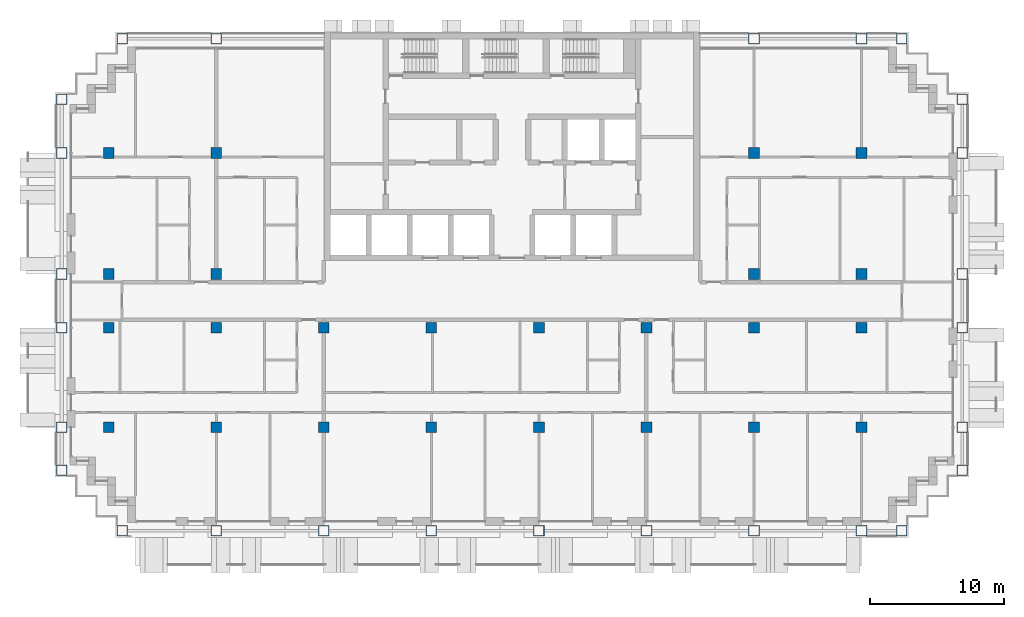
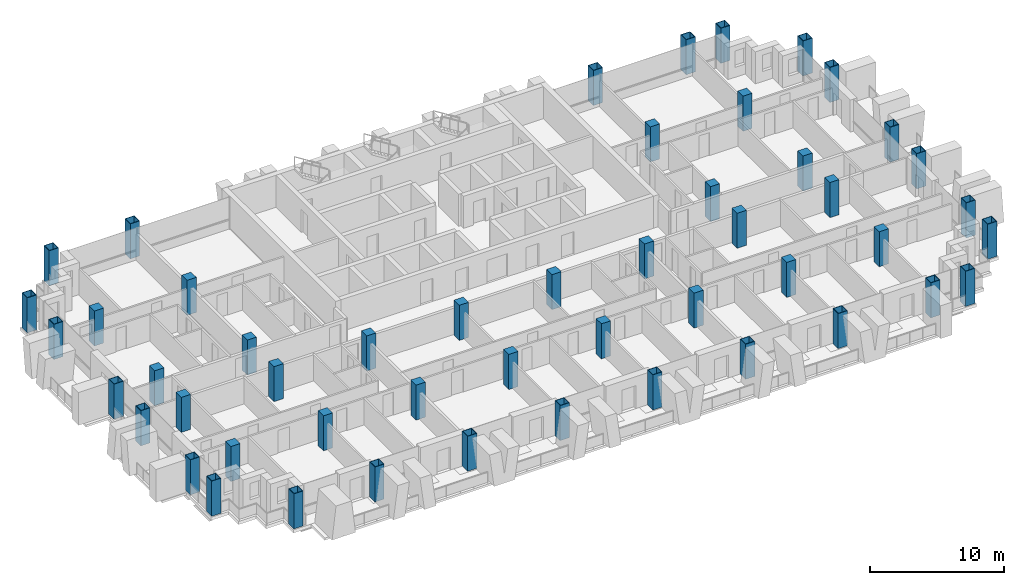
# One storey, part 1 of 17: 50 columns.
"""IFC4 building model written with IfcOpenShell, lengths in metres."""

from ifc_helpers import new_model, si_unit, direction, frame, origin, origin_2d, place, context, subcontext, project, spatial, rectangle, hollow_rectangle, extrude, material, material_profile, profile_set, type_object, element, save


model = new_model("IFC4")

# Units and contexts
model_context = context("Model", 3, precision=1e-05, world=origin(), true_north=direction((0.0, 1.0)))
body_context = subcontext(model_context, "Body", "Model", "MODEL_VIEW")
ifc_project = project(units=[si_unit("LENGTHUNIT", "METRE"), si_unit("AREAUNIT", "SQUARE_METRE"), si_unit("VOLUMEUNIT", "CUBIC_METRE"), si_unit("PLANEANGLEUNIT", "RADIAN"), si_unit("MASSUNIT", "GRAM", prefix="KILO")], contexts=[model_context])

# Site, building, storey
site_placement = place(None, origin())
site = spatial("IfcSite", under=ifc_project, at=site_placement, CompositionType="ELEMENT")
building_placement = place(site_placement, origin())
building = spatial("IfcBuilding", under=site, at=building_placement, Name="Vidyagriha Tower", CompositionType="ELEMENT")
storey_placement = place(building_placement, frame((0.0, 0.0, 139.0)))
storey = spatial("IfcBuildingStorey", under=building, at=storey_placement, Name="L36", CompositionType="ELEMENT", Elevation=139.0)

# Columns
ifc_material_1 = material(Name="Steel ASTM A572 Grade 50", Category="steel")
ifc_material_profile_1 = material_profile(ifc_material_1, hollow_rectangle(XDim=0.800048828125, YDim=0.800048828125, WallThickness=0.0400390625, at=origin_2d()), Name="BOX 800x800x40")
ifc_profile_set_1 = profile_set([ifc_material_profile_1], Name="Steel ASTM A572 Grade 50")
column_type_1 = type_object("IfcColumnType", Name="Exoskeleton column BOX 800x800x40", PredefinedType="COLUMN", material=ifc_profile_set_1)
for number, where, name in (
    (1, (-29.0, -17.10009765625, 0.0), "st-col-L36-B3-001"),
    (2, (-22.0, -17.10009765625, 0.0), "st-col-L36-B3-002"),
    (3, (-14.0, -17.10009765625, 0.0), "st-col-L36-B3-003"),
    (4, (-6.0, -17.10009765625, 0.0), "st-col-L36-B3-004"),
    (5, (2.0, -17.10009765625, 0.0), "st-col-L36-B3-005"),
    (6, (10.0, -17.10009765625, 0.0), "st-col-L36-B3-006"),
    (7, (18.0, -17.10009765625, 0.0), "st-col-L36-B3-007"),
    (8, (26.0, -17.10009765625, 0.0), "st-col-L36-B3-008"),
    (9, (29.0, -17.10009765625, 0.0), "st-col-L36-B3-009"),
    (10, (-33.5, -12.60009765625, 0.0), "st-col-L36-B3-010"),
    (11, (33.5, -12.60009765625, 0.0), "st-col-L36-B3-011"),
    (12, (-33.5, -9.39990234375, 0.0), "st-col-L36-B3-012"),
    (13, (33.5, -9.39990234375, 0.0), "st-col-L36-B3-021"),
    (14, (-33.5, -2.0, 0.0), "st-col-L36-B3-022"),
    (15, (33.5, -2.0, 0.0), "st-col-L36-B3-031"),
    (16, (-33.5, 2.0, 0.0), "st-col-L36-B3-032"),
    (17, (33.5, 2.0, 0.0), "st-col-L36-B3-037"),
    (18, (-33.5, 11.0, 0.0), "st-col-L36-B3-038"),
    (19, (33.5, 11.0, 0.0), "st-col-L36-B3-043"),
    (20, (-33.5, 15.0, 0.0), "st-col-L36-B3-044"),
    (21, (33.5, 15.0, 0.0), "st-col-L36-B3-045"),
    (22, (-29.0, 19.5, 0.0), "st-col-L36-B3-046"),
    (23, (-22.0, 19.5, 0.0), "st-col-L36-B3-047"),
    (24, (18.0, 19.5, 0.0), "st-col-L36-B3-048"),
    (25, (26.0, 19.5, 0.0), "st-col-L36-B3-049"),
    (26, (29.0, 19.5, 0.0), "st-col-L36-B3-050"),
):
    element("IfcColumn", number, at=place(storey_placement, frame(where)), inside=storey, type_object=column_type_1, Name=name, PredefinedType="COLUMN", context=body_context, shape_type="SweptSolid", body=[
        extrude(hollow_rectangle(XDim=0.800048828125, YDim=0.800048828125, WallThickness=0.0400390625, at=origin_2d()), origin(), (0.0, 0.0, 1.0), 3.199951171875),
    ])
ifc_material_2 = material(Name="Concrete C80/95", Category="concrete")
ifc_material_profile_2 = material_profile(ifc_material_2, rectangle(XDim=0.800048828125, YDim=0.800048828125, at=origin_2d()), Name="RC 800x800")
ifc_profile_set_2 = profile_set([ifc_material_profile_2], Name="Concrete C80/95")
column_type_2 = type_object("IfcColumnType", Name="Frame column RC 800x800", PredefinedType="COLUMN", material=ifc_profile_set_2)
for number, where, name in (
    (27, (-30.0, -9.39990234375, 0.0), "st-col-L36-B3-013"),
    (28, (-22.0, -9.39990234375, 0.0), "st-col-L36-B3-014"),
    (29, (-14.0, -9.39990234375, 0.0), "st-col-L36-B3-015"),
    (30, (-6.0, -9.39990234375, 0.0), "st-col-L36-B3-016"),
    (31, (2.0, -9.39990234375, 0.0), "st-col-L36-B3-017"),
    (32, (10.0, -9.39990234375, 0.0), "st-col-L36-B3-018"),
    (33, (18.0, -9.39990234375, 0.0), "st-col-L36-B3-019"),
    (34, (26.0, -9.39990234375, 0.0), "st-col-L36-B3-020"),
    (35, (-30.0, -2.0, 0.0), "st-col-L36-B3-023"),
    (36, (-22.0, -2.0, 0.0), "st-col-L36-B3-024"),
    (37, (-14.0, -2.0, 0.0), "st-col-L36-B3-025"),
    (38, (-6.0, -2.0, 0.0), "st-col-L36-B3-026"),
    (39, (2.0, -2.0, 0.0), "st-col-L36-B3-027"),
    (40, (10.0, -2.0, 0.0), "st-col-L36-B3-028"),
    (41, (18.0, -2.0, 0.0), "st-col-L36-B3-029"),
    (42, (26.0, -2.0, 0.0), "st-col-L36-B3-030"),
    (43, (-30.0, 2.0, 0.0), "st-col-L36-B3-033"),
    (44, (-22.0, 2.0, 0.0), "st-col-L36-B3-034"),
    (45, (18.0, 2.0, 0.0), "st-col-L36-B3-035"),
    (46, (26.0, 2.0, 0.0), "st-col-L36-B3-036"),
    (47, (-30.0, 11.0, 0.0), "st-col-L36-B3-039"),
    (48, (-22.0, 11.0, 0.0), "st-col-L36-B3-040"),
    (49, (18.0, 11.0, 0.0), "st-col-L36-B3-041"),
    (50, (26.0, 11.0, 0.0), "st-col-L36-B3-042"),
):
    element("IfcColumn", number, at=place(storey_placement, frame(where)), inside=storey, type_object=column_type_2, Name=name, PredefinedType="COLUMN", context=body_context, shape_type="SweptSolid", body=[
        extrude(rectangle(XDim=0.800048828125, YDim=0.800048828125, at=origin_2d()), origin(), (0.0, 0.0, 1.0), 3.199951171875),
    ])

save(model, "model.ifc")
